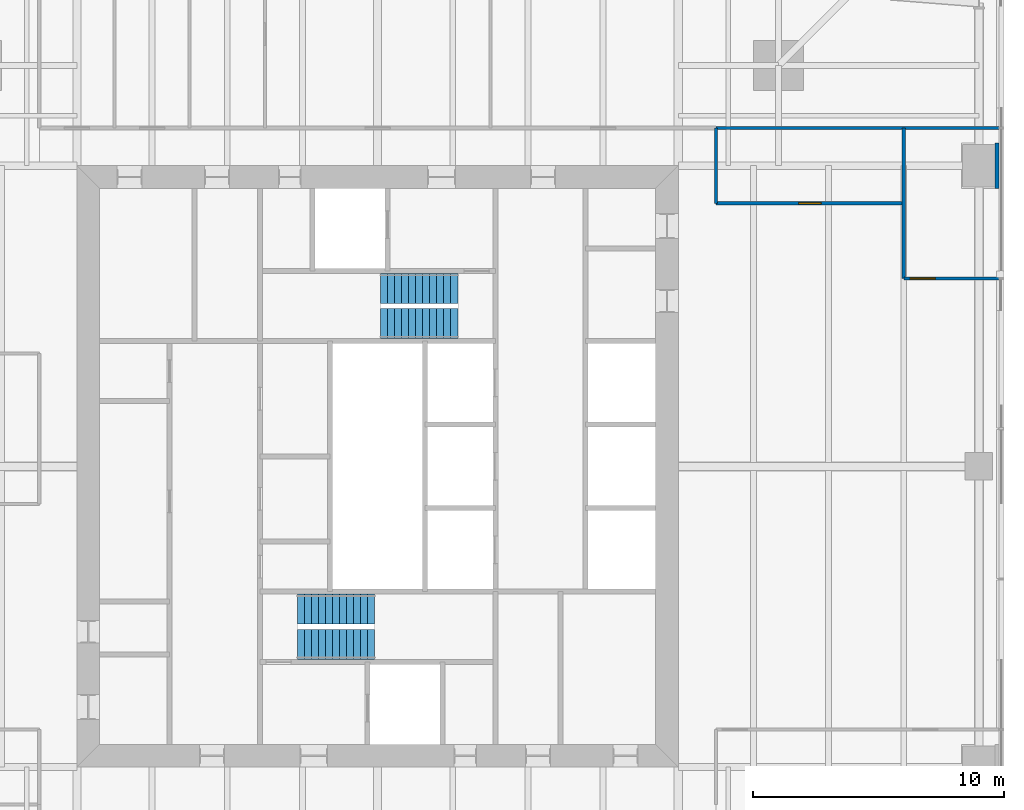
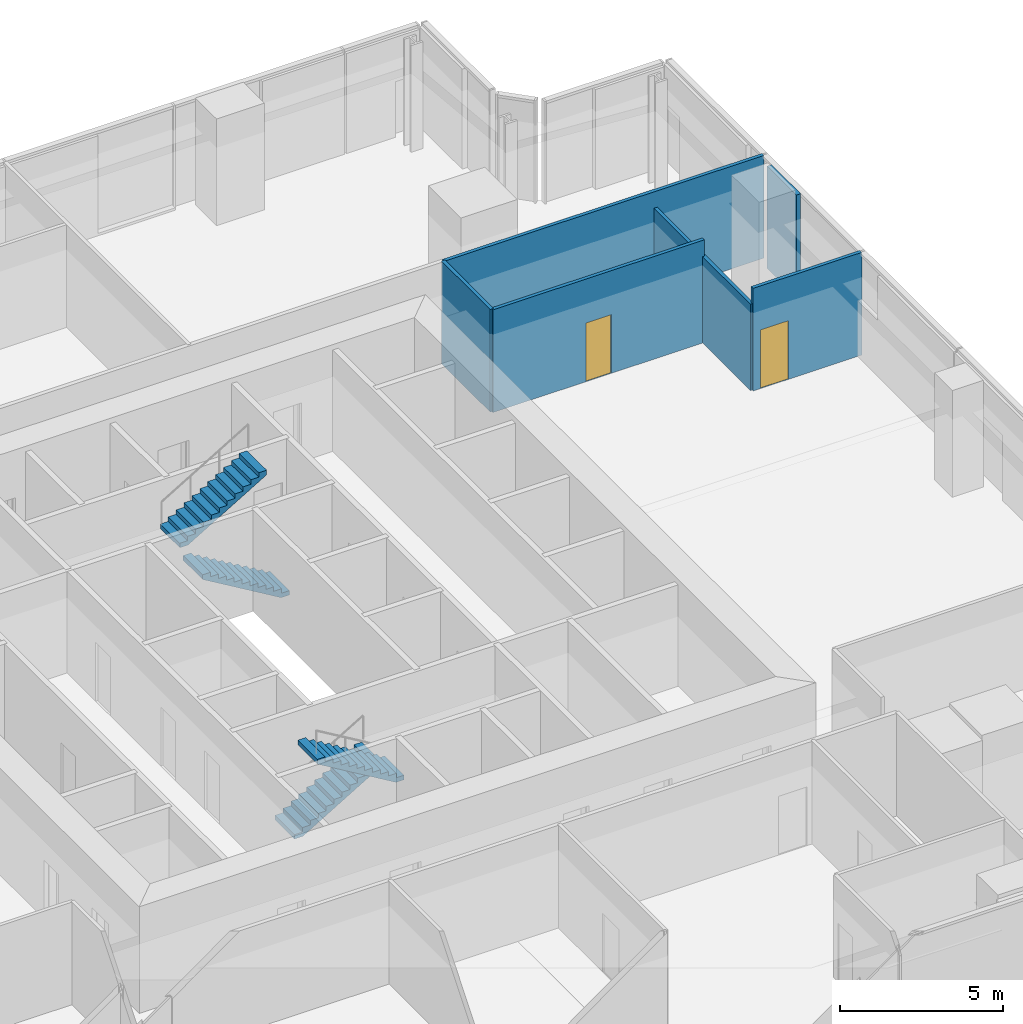
# One storey, part 13 of 15: 6 walls, 4 stair flights, 2 doors, 2 openings, 2 elements without a shape of their own.
"""IFC4 building model written with IfcOpenShell, lengths in metres."""

from ifc_helpers import new_model, si_unit, direction, frame, frame_2d, origin, place, context, subcontext, project, spatial, polyline, rectangle, outline, extrude, material, layer, layer_set, type_object, element, fill, aggregate, save


model = new_model("IFC4")

# Units and contexts
model_context = context("Model", 3, precision=1e-05, world=origin(), true_north=direction((0.0, 1.0)))
body_context = subcontext(model_context, "Body", "Model", "MODEL_VIEW")
ifc_project = project(units=[si_unit("LENGTHUNIT", "METRE"), si_unit("AREAUNIT", "SQUARE_METRE"), si_unit("VOLUMEUNIT", "CUBIC_METRE"), si_unit("PLANEANGLEUNIT", "RADIAN"), si_unit("MASSUNIT", "GRAM", prefix="KILO")], contexts=[model_context])

# Site, building, storey
site_placement = place(None, origin())
site = spatial("IfcSite", under=ifc_project, at=site_placement, CompositionType="ELEMENT")
building_placement = place(site_placement, origin())
building = spatial("IfcBuilding", under=site, at=building_placement, Name="Fenwick Lantern Interchange", CompositionType="ELEMENT")
storey_placement = place(building_placement, frame((0.0, 0.0, 209.800048828125)))
storey = spatial("IfcBuildingStorey", under=building, at=storey_placement, Name="L49", CompositionType="ELEMENT", Elevation=209.800048828125)

# Wall
ifc_material_1 = material(Name="Fire-rated gypsum board encasement on steel studs, 2 hour", Category="steel")
ifc_layer_1 = layer(ifc_material_1, 1.800048828125)
ifc_layer_set_1 = layer_set([ifc_layer_1], Name="COLUMN PIER 1800")
wall_type_1 = type_object("IfcWallType", Name="COLUMN PIER 1800", PredefinedType="PARTITIONING", material=ifc_layer_set_1)
wall_1_placement = place(storey_placement, frame((49.800048828125, 37.0, 0.0), z_axis=(0.0, 0.0, 1.0), x_axis=(-1.0, 0.0, 0.0)))
element("IfcWall", 1, at=wall_1_placement, inside=storey, type_object=wall_type_1, Name="L49/W/PIER/CE4", PredefinedType="PARTITIONING", context=body_context, shape_type="SweptSolid", body=[
    extrude(rectangle(XDim=0.150146484375, YDim=1.800048828125, at=frame_2d((0.0751953125, 0.0))), origin(), (0.0, 0.0, 1.0), 3.849853515625),
])

# Wall, opening, door
ifc_material_2 = material(Name="Gypsum board on steel studs, acoustic", Category="steel")
ifc_layer_2 = layer(ifc_material_2, 0.125)
ifc_layer_set_2 = layer_set([ifc_layer_2], Name="OFFICE PARTITION 125")
wall_type_2 = type_object("IfcWallType", Name="OFFICE PARTITION 125", PredefinedType="PARTITIONING", material=ifc_layer_set_2)
wall_2_placement = place(storey_placement, frame((49.85009765625, 32.5, 0.0), z_axis=(0.0, 0.0, 1.0), x_axis=(-1.0, 0.0, 0.0)))
wall_2 = element("IfcWall", 2, at=wall_2_placement, inside=storey, type_object=wall_type_2, Name="L49/W/OFF/E/X325-1", PredefinedType="PARTITIONING", context=body_context, shape_type="SweptSolid", body=[
    extrude(rectangle(XDim=3.85009765625, YDim=0.125, at=frame_2d((1.925048828125, 0.0))), origin(), (0.0, 0.0, 1.0), 3.849853515625),
])
opening_1_placement = place(wall_2_placement, frame((2.60009765625, 0.0, 0.0)))
opening_1 = element("IfcOpeningElement", 3, at=opening_1_placement, cuts=wall_2, Name="Opening L49-D029", PredefinedType="OPENING", context=body_context, shape_type="SweptSolid", body=[
    extrude(rectangle(XDim=1.0, YDim=2.199951171875, at=frame_2d((0.5, 1.10009765625))), frame((0.0, 0.072509765625, 0.0), z_axis=(0.0, -1.0, 0.0), x_axis=(1.0, 0.0, 0.0)), (0.0, 0.0, 1.0), 0.14501953125),
])
ifc_material_3 = material(Name="Hardwood door and steel frame", Category="steel")
door_type_1 = type_object("IfcDoorType", Name="MEETING ROOM DOOR 1000 X 2200", OperationType="SINGLE_SWING_LEFT", PredefinedType="DOOR", material=ifc_material_3)
door_1_placement = place(opening_1_placement, frame((1.0, 0.0, 0.0), z_axis=(0.0, 0.0, 1.0), x_axis=(-1.0, 0.0, 0.0)))
door_1 = element("IfcDoor", 4, at=door_1_placement, inside=storey, type_object=door_type_1, Name="Meeting room door", OperationType="SINGLE_SWING_LEFT", OverallHeight=2.199951171875, OverallWidth=1.0, PredefinedType="DOOR", context=body_context, shape_type="SweptSolid", body=[
    extrude(rectangle(XDim=1.0, YDim=2.199951171875, at=frame_2d((0.5, 1.10009765625))), frame((0.0, 0.02490234375, 0.0), z_axis=(0.0, -1.0, 0.0), x_axis=(1.0, 0.0, 0.0)), (0.0, 0.0, 1.0), 0.050048828125),
])
fill(opening_1, door_1)

wall_3_placement = place(storey_placement, frame((46.0, 35.5, 0.0), z_axis=(0.0, 0.0, 1.0), x_axis=(-1.0, 0.0, 0.0)))
wall_3 = element("IfcWall", 5, at=wall_3_placement, inside=storey, type_object=wall_type_2, Name="L49/W/OFF/E/X355-1", PredefinedType="PARTITIONING", context=body_context, shape_type="SweptSolid", body=[
    extrude(rectangle(XDim=7.5, YDim=0.125, at=frame_2d((3.75, 0.0))), origin(), (0.0, 0.0, 1.0), 3.849853515625),
])
opening_2_placement = place(wall_3_placement, frame((3.300048828125, 0.0, 0.0)))
opening_2 = element("IfcOpeningElement", 6, at=opening_2_placement, cuts=wall_3, Name="Opening L49-D030", PredefinedType="OPENING", context=body_context, shape_type="SweptSolid", body=[
    extrude(rectangle(XDim=0.89990234375, YDim=2.199951171875, at=frame_2d((0.449951171875, 1.10009765625))), frame((0.0, 0.072509765625, 0.0), z_axis=(0.0, -1.0, 0.0), x_axis=(1.0, 0.0, 0.0)), (0.0, 0.0, 1.0), 0.14501953125),
])
door_type_2 = type_object("IfcDoorType", Name="OFFICE DOOR 900 X 2200", OperationType="SINGLE_SWING_LEFT", PredefinedType="DOOR", material=ifc_material_3)
door_2_placement = place(opening_2_placement, frame((0.89990234375, 0.0, 0.0), z_axis=(0.0, 0.0, 1.0), x_axis=(-1.0, 0.0, 0.0)))
door_2 = element("IfcDoor", 7, at=door_2_placement, inside=storey, type_object=door_type_2, Name="Office door", OperationType="SINGLE_SWING_RIGHT", OverallHeight=2.199951171875, OverallWidth=0.89990234375, PredefinedType="DOOR", context=body_context, shape_type="SweptSolid", body=[
    extrude(rectangle(XDim=0.89990234375, YDim=2.199951171875, at=frame_2d((0.449951171875, 1.10009765625))), frame((0.0, 0.02490234375, 0.0), z_axis=(0.0, -1.0, 0.0), x_axis=(1.0, 0.0, 0.0)), (0.0, 0.0, 1.0), 0.050048828125),
])
fill(opening_2, door_2)

# Walls
wall_4_placement = place(storey_placement, frame((46.0, 32.5, 0.0), z_axis=(0.0, 0.0, 1.0), x_axis=(0.0, 1.0, 0.0)))
element("IfcWall", 8, at=wall_4_placement, inside=storey, type_object=wall_type_2, Name="L49/W/OFF/E/Y40-1", PredefinedType="PARTITIONING", context=body_context, shape_type="SweptSolid", body=[
    extrude(rectangle(XDim=6.0, YDim=0.125, at=frame_2d((3.0, 0.0))), origin(), (0.0, 0.0, 1.0), 3.23779296875),
])
wall_5_placement = place(storey_placement, frame((38.5, 35.5, 0.0), z_axis=(0.0, 0.0, 1.0), x_axis=(0.0, 1.0, 0.0)))
element("IfcWall", 9, at=wall_5_placement, inside=storey, type_object=wall_type_2, Name="L49/W/OFF/E/CWS2", PredefinedType="PARTITIONING", context=body_context, shape_type="SweptSolid", body=[
    extrude(rectangle(XDim=3.0, YDim=0.125, at=frame_2d((1.5, 0.0))), origin(), (0.0, 0.0, 1.0), 3.849853515625),
])
wall_6_placement = place(storey_placement, frame((49.85009765625, 38.5, 0.0), z_axis=(0.0, 0.0, 1.0), x_axis=(-1.0, 0.0, 0.0)))
element("IfcWall", 10, at=wall_6_placement, inside=storey, type_object=wall_type_2, Name="L49/W/OFF/N/BACK", PredefinedType="PARTITIONING", context=body_context, shape_type="SweptSolid", body=[
    extrude(rectangle(XDim=11.35009765625, YDim=0.125, at=frame_2d((5.675048828125, 0.0))), origin(), (0.0, 0.0, 1.0), 3.849853515625),
])

# Stair, stair flights
ifc_material_4 = material(Name="Precast concrete f'c 35 MPa", Category="concrete")
stair_type = type_object("IfcStairType", Name="EXIT STAIR 1200", PredefinedType="HALF_TURN_STAIR", material=ifc_material_4)
stair_1_placement = place(storey_placement, origin())
stair_1 = element("IfcStair", 11, at=stair_1_placement, inside=storey, type_object=stair_type, Name="Exit stair ST1", PredefinedType="HALF_TURN_STAIR")
stair_flight_type = type_object("IfcStairFlightType", Name="STAIR FLIGHT 1200", PredefinedType="STRAIGHT", material=ifc_material_4)
stair_flight_1_placement = place(storey_placement, frame((21.800048828125, 19.300048828125, 0.0), z_axis=(0.0, 0.0, 1.0), x_axis=(1.0, 0.0, 0.0)))
stair_flight_1 = element("IfcStairFlight", 12, at=stair_flight_1_placement, type_object=stair_flight_type, Name="ST1 flight 1", NumberOfRisers=12, NumberOfTreads=11, PredefinedType="STRAIGHT", RiserHeight=0.166666667, TreadLength=0.28, context=body_context, shape_type="SweptSolid", body=[
    extrude(outline(polyline([(0.0, 0.0), (0.0, 0.166748046875), (0.280029296875, 0.166748046875), (0.280029296875, 0.333251953125), (0.56005859375, 0.333251953125), (0.56005859375, 0.5), (0.840087890625, 0.5), (0.840087890625, 0.666748046875), (1.1201171875, 0.666748046875), (1.1201171875, 0.833251953125), (1.39990234375, 0.833251953125), (1.39990234375, 1.0), (1.679931640625, 1.0), (1.679931640625, 1.166748046875), (1.9599609375, 1.166748046875), (1.9599609375, 1.333251953125), (2.239990234375, 1.333251953125), (2.239990234375, 1.5), (2.52001953125, 1.5), (2.52001953125, 1.666748046875), (2.800048828125, 1.666748046875), (2.800048828125, 1.833251953125), (3.080078125, 1.833251953125), (3.080078125, 2.0), (3.080078125, 1.658935546875), (0.29296875, 0.0), (0.0, 0.0)])), frame((0.0, 0.60009765625, 0.0), z_axis=(0.0, -1.0, 0.0), x_axis=(1.0, 0.0, 0.0)), (0.0, 0.0, 1.0), 1.199951171875),
])
stair_flight_2_placement = place(storey_placement, frame((24.8798828125, 17.89990234375, 2.0), z_axis=(0.0, 0.0, 1.0), x_axis=(-1.0, 0.0, 0.0)))
stair_flight_2 = element("IfcStairFlight", 13, at=stair_flight_2_placement, type_object=stair_flight_type, Name="ST1 flight 2", NumberOfRisers=12, NumberOfTreads=11, PredefinedType="STRAIGHT", RiserHeight=0.166666667, TreadLength=0.28, context=body_context, shape_type="SweptSolid", body=[
    extrude(outline(polyline([(0.0, 0.0), (0.0, 0.166748046875), (0.280029296875, 0.166748046875), (0.280029296875, 0.333251953125), (0.56005859375, 0.333251953125), (0.56005859375, 0.5), (0.840087890625, 0.5), (0.840087890625, 0.666748046875), (1.1201171875, 0.666748046875), (1.1201171875, 0.833251953125), (1.39990234375, 0.833251953125), (1.39990234375, 1.0), (1.679931640625, 1.0), (1.679931640625, 1.166748046875), (1.9599609375, 1.166748046875), (1.9599609375, 1.333251953125), (2.239990234375, 1.333251953125), (2.239990234375, 1.5), (2.52001953125, 1.5), (2.52001953125, 1.666748046875), (2.800048828125, 1.666748046875), (2.800048828125, 1.833251953125), (3.080078125, 1.833251953125), (3.080078125, 2.0), (3.080078125, 1.658935546875), (0.29296875, 0.0), (0.0, 0.0)])), frame((0.0, 0.60009765625, 0.0), z_axis=(0.0, -1.0, 0.0), x_axis=(1.0, 0.0, 0.0)), (0.0, 0.0, 1.0), 1.199951171875),
])
aggregate(stair_1, [stair_flight_1, stair_flight_2])

stair_2_placement = place(storey_placement, origin())
stair_2 = element("IfcStair", 14, at=stair_2_placement, inside=storey, type_object=stair_type, Name="Exit stair ST2", PredefinedType="HALF_TURN_STAIR")
stair_flight_3_placement = place(storey_placement, frame((28.199951171875, 30.699951171875, 0.0), z_axis=(0.0, 0.0, 1.0), x_axis=(-1.0, 0.0, 0.0)))
stair_flight_3 = element("IfcStairFlight", 15, at=stair_flight_3_placement, type_object=stair_flight_type, Name="ST2 flight 1", NumberOfRisers=12, NumberOfTreads=11, PredefinedType="STRAIGHT", RiserHeight=0.166666667, TreadLength=0.28, context=body_context, shape_type="SweptSolid", body=[
    extrude(outline(polyline([(0.0, 0.0), (0.0, 0.166748046875), (0.280029296875, 0.166748046875), (0.280029296875, 0.333251953125), (0.56005859375, 0.333251953125), (0.56005859375, 0.5), (0.840087890625, 0.5), (0.840087890625, 0.666748046875), (1.1201171875, 0.666748046875), (1.1201171875, 0.833251953125), (1.39990234375, 0.833251953125), (1.39990234375, 1.0), (1.679931640625, 1.0), (1.679931640625, 1.166748046875), (1.9599609375, 1.166748046875), (1.9599609375, 1.333251953125), (2.239990234375, 1.333251953125), (2.239990234375, 1.5), (2.52001953125, 1.5), (2.52001953125, 1.666748046875), (2.800048828125, 1.666748046875), (2.800048828125, 1.833251953125), (3.080078125, 1.833251953125), (3.080078125, 2.0), (3.080078125, 1.658935546875), (0.29296875, 0.0), (0.0, 0.0)])), frame((0.0, 0.60009765625, 0.0), z_axis=(0.0, -1.0, 0.0), x_axis=(1.0, 0.0, 0.0)), (0.0, 0.0, 1.0), 1.199951171875),
])
stair_flight_4_placement = place(storey_placement, frame((25.1201171875, 32.10009765625, 2.0), z_axis=(0.0, 0.0, 1.0), x_axis=(1.0, 0.0, 0.0)))
stair_flight_4 = element("IfcStairFlight", 16, at=stair_flight_4_placement, type_object=stair_flight_type, Name="ST2 flight 2", NumberOfRisers=12, NumberOfTreads=11, PredefinedType="STRAIGHT", RiserHeight=0.166666667, TreadLength=0.28, context=body_context, shape_type="SweptSolid", body=[
    extrude(outline(polyline([(0.0, 0.0), (0.0, 0.166748046875), (0.280029296875, 0.166748046875), (0.280029296875, 0.333251953125), (0.56005859375, 0.333251953125), (0.56005859375, 0.5), (0.840087890625, 0.5), (0.840087890625, 0.666748046875), (1.1201171875, 0.666748046875), (1.1201171875, 0.833251953125), (1.39990234375, 0.833251953125), (1.39990234375, 1.0), (1.679931640625, 1.0), (1.679931640625, 1.166748046875), (1.9599609375, 1.166748046875), (1.9599609375, 1.333251953125), (2.239990234375, 1.333251953125), (2.239990234375, 1.5), (2.52001953125, 1.5), (2.52001953125, 1.666748046875), (2.800048828125, 1.666748046875), (2.800048828125, 1.833251953125), (3.080078125, 1.833251953125), (3.080078125, 2.0), (3.080078125, 1.658935546875), (0.29296875, 0.0), (0.0, 0.0)])), frame((0.0, 0.60009765625, 0.0), z_axis=(0.0, -1.0, 0.0), x_axis=(1.0, 0.0, 0.0)), (0.0, 0.0, 1.0), 1.199951171875),
])
aggregate(stair_2, [stair_flight_3, stair_flight_4])

save(model, "model.ifc")
